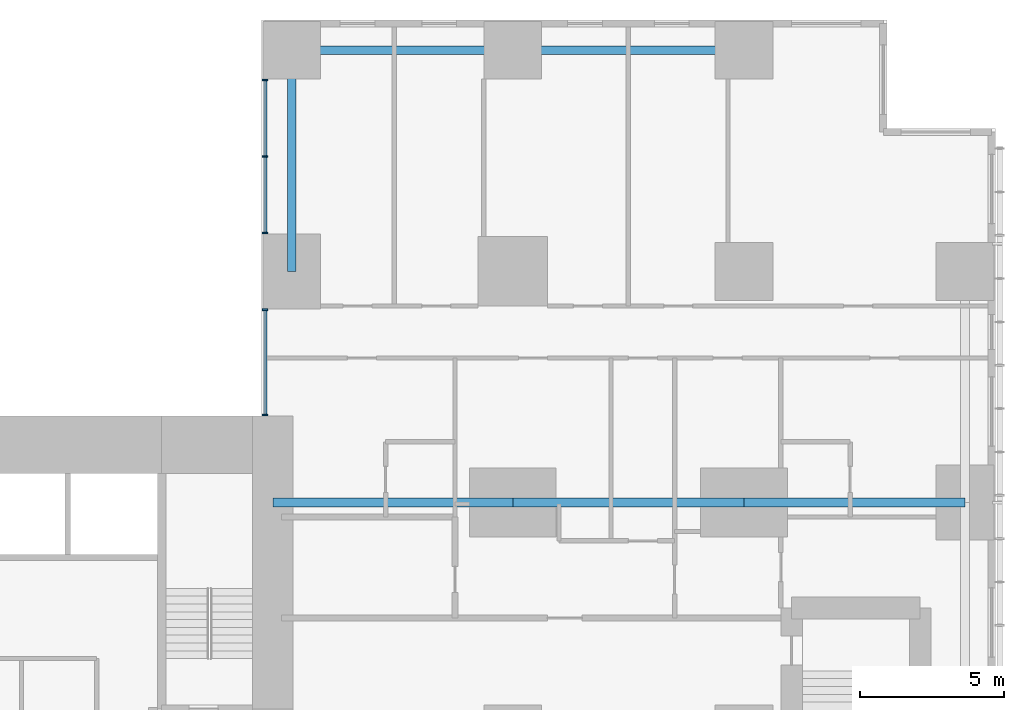
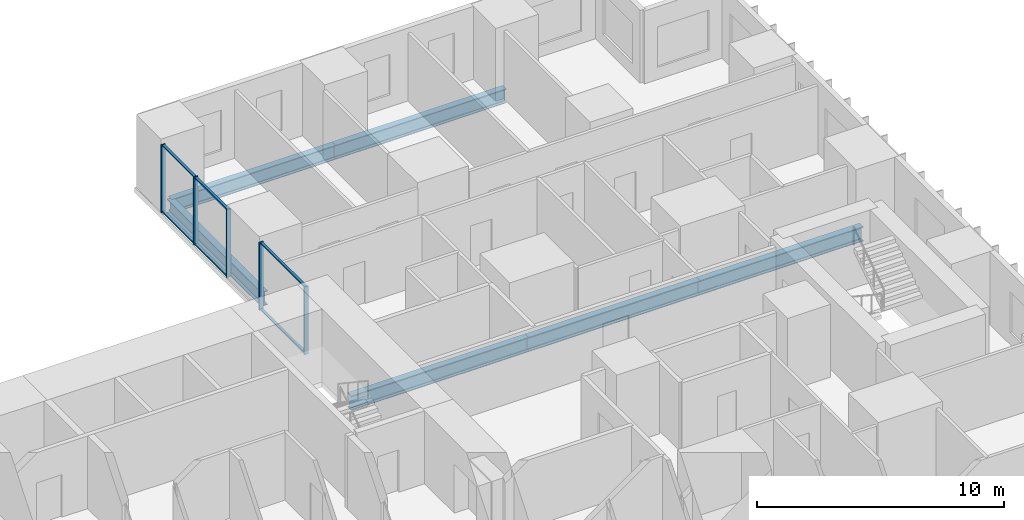
# One storey, part 5 of 20: 11 members, 6 beams, 2 elements without a shape of their own.
"""IFC4 building model written with IfcOpenShell, lengths in metres."""

from ifc_helpers import new_model, si_unit, direction, frame, origin, origin_2d, place, context, subcontext, project, spatial, rectangle, i_section, extrude, material, layer, layer_set, material_profile, profile_set, type_object, element, aggregate, save


model = new_model("IFC4")

# Units and contexts
model_context = context("Model", 3, precision=1e-05, world=origin(), true_north=direction((0.0, 1.0)))
body_context = subcontext(model_context, "Body", "Model", "MODEL_VIEW")
ifc_project = project(units=[si_unit("LENGTHUNIT", "METRE"), si_unit("AREAUNIT", "SQUARE_METRE"), si_unit("VOLUMEUNIT", "CUBIC_METRE"), si_unit("PLANEANGLEUNIT", "RADIAN"), si_unit("MASSUNIT", "GRAM", prefix="KILO")], contexts=[model_context])

# Site, building, storey
site_placement = place(None, origin())
site = spatial("IfcSite", under=ifc_project, at=site_placement, CompositionType="ELEMENT")
building_placement = place(site_placement, origin())
building = spatial("IfcBuilding", under=site, at=building_placement, Name="Cleftline Residences", CompositionType="ELEMENT")
storey_placement = place(building_placement, frame((0.0, 0.0, 54.800048828125)))
storey = spatial("IfcBuildingStorey", under=building, at=storey_placement, Name="L13", CompositionType="ELEMENT", Elevation=54.800048828125)

# Beams
ifc_material_1 = material(Name="Steel S355", Category="steel")
ifc_material_profile_1 = material_profile(ifc_material_1, i_section(OverallWidth=0.300048828125, OverallDepth=0.699951171875, WebThickness=0.01708984375, FlangeThickness=0.031982421875, FilletRadius=0.027099609375, at=origin_2d()))
ifc_profile_set_1 = profile_set([ifc_material_profile_1], Name="Steel S355")
beam_type_1 = type_object("IfcBeamType", Name="BEAM HEB 700", PredefinedType="BEAM", material=ifc_profile_set_1)
beam_1_placement = place(storey_placement, frame((58.0, 47.64990234375, -0.60009765625), z_axis=(-1.0, 0.0, 0.0), x_axis=(0.0, -1.0, 0.0)))
element("IfcBeam", 1, at=beam_1_placement, inside=storey, type_object=beam_type_1, Name="Edge beam", PredefinedType="BEAM", context=body_context, shape_type="SweptSolid", body=[
    extrude(i_section(OverallWidth=0.300048828125, OverallDepth=0.699951171875, WebThickness=0.01708984375, FlangeThickness=0.031982421875, FilletRadius=0.027099609375, at=origin_2d()), origin(), (0.0, 0.0, 1.0), 8.0),
])
for number, where, z_axis, x_axis, name in (
    (2, (50.0, 47.64990234375, -0.60009765625), (-1.0, 0.0, 0.0), (0.0, -1.0, 0.0), "Edge beam"),
    (3, (42.35009765625, 47.64990234375, -0.60009765625), (0.0, -1.0, 0.0), (1.0, 0.0, 0.0), "Edge beam"),
):
    element("IfcBeam", number, at=place(storey_placement, frame(where, z_axis=z_axis, x_axis=x_axis)), inside=storey, type_object=beam_type_1, Name=name, PredefinedType="BEAM", context=body_context, shape_type="SweptSolid", body=[
        extrude(i_section(OverallWidth=0.300048828125, OverallDepth=0.699951171875, WebThickness=0.01708984375, FlangeThickness=0.031982421875, FilletRadius=0.027099609375, at=origin_2d()), origin(), (0.0, 0.0, 1.0), 7.64990234375),
    ])
ifc_material_2 = material(Name="Steel S355", Category="steel")
ifc_material_profile_2 = material_profile(ifc_material_2, i_section(OverallWidth=0.303955078125, OverallDepth=0.716064453125, WebThickness=0.02099609375, FlangeThickness=0.0400390625, FilletRadius=0.027099609375, at=origin_2d()))
ifc_profile_set_2 = profile_set([ifc_material_profile_2], Name="Steel S355")
beam_type_2 = type_object("IfcBeamType", Name="BEAM HEM 700", PredefinedType="BEAM", material=ifc_profile_set_2)
beam_2_placement = place(storey_placement, frame((65.64990234375, 32.0, -0.608154296875), z_axis=(-1.0, 0.0, 0.0), x_axis=(0.0, -1.0, 0.0)))
element("IfcBeam", 4, at=beam_2_placement, inside=storey, type_object=beam_type_2, Name="Band beam", PredefinedType="BEAM", context=body_context, shape_type="SweptSolid", body=[
    extrude(i_section(OverallWidth=0.303955078125, OverallDepth=0.716064453125, WebThickness=0.02099609375, FlangeThickness=0.0400390625, FilletRadius=0.027099609375, at=origin_2d()), origin(), (0.0, 0.0, 1.0), 7.64990234375),
])
beam_3_placement = place(storey_placement, frame((58.0, 32.0, -0.608154296875), z_axis=(-1.0, 0.0, 0.0), x_axis=(0.0, -1.0, 0.0)))
element("IfcBeam", 5, at=beam_3_placement, inside=storey, type_object=beam_type_2, Name="Band beam", PredefinedType="BEAM", context=body_context, shape_type="SweptSolid", body=[
    extrude(i_section(OverallWidth=0.303955078125, OverallDepth=0.716064453125, WebThickness=0.02099609375, FlangeThickness=0.0400390625, FilletRadius=0.027099609375, at=origin_2d()), origin(), (0.0, 0.0, 1.0), 8.0),
])
beam_4_placement = place(storey_placement, frame((50.0, 32.0, -0.608154296875), z_axis=(-1.0, 0.0, 0.0), x_axis=(0.0, -1.0, 0.0)))
element("IfcBeam", 6, at=beam_4_placement, inside=storey, type_object=beam_type_2, Name="Band beam", PredefinedType="BEAM", context=body_context, shape_type="SweptSolid", body=[
    extrude(i_section(OverallWidth=0.303955078125, OverallDepth=0.716064453125, WebThickness=0.02099609375, FlangeThickness=0.0400390625, FilletRadius=0.027099609375, at=origin_2d()), origin(), (0.0, 0.0, 1.0), 8.300048828125),
])

# Curtain wall, members
ifc_material_3 = material(Name="Aluminium framed curtain wall", Category="aluminium")
ifc_layer = layer(ifc_material_3, 0.199951171875)
ifc_layer_set = layer_set([ifc_layer], Name="CW1 CLEFT GLAZING")
curtain_wall_type = type_object("IfcCurtainWallType", Name="CW1 CLEFT GLAZING", PredefinedType="NOTDEFINED", material=ifc_layer_set)
curtain_wall_1_placement = place(storey_placement, origin())
curtain_wall_1 = element("IfcCurtainWall", 7, at=curtain_wall_1_placement, inside=storey, type_object=curtain_wall_type, Name="Curtain wall CW1", PredefinedType="NOTDEFINED")
ifc_material_4 = material(Name="Aluminium mullion", Category="aluminium")
ifc_material_profile_3 = material_profile(ifc_material_4, rectangle(XDim=0.199951171875, YDim=0.06005859375, at=origin_2d()))
ifc_profile_set_3 = profile_set([ifc_material_profile_3], Name="Aluminium mullion")
member_type_1 = type_object("IfcMemberType", Name="CW1 MULLION", PredefinedType="MULLION", material=ifc_profile_set_3)
member_1_placement = place(storey_placement, frame((41.425048828125, 46.6201171875, 0.0), z_axis=(0.0, 0.0, 1.0), x_axis=(1.0, 0.0, 0.0)))
member_1 = element("IfcMember", 8, at=member_1_placement, type_object=member_type_1, Name="CW1 mullion 1", PredefinedType="MULLION", context=body_context, shape_type="SweptSolid", body=[
    extrude(rectangle(XDim=0.199951171875, YDim=0.06005859375, at=origin_2d()), origin(), (0.0, 0.0, 1.0), 3.349853515625),
])
member_2_placement = place(storey_placement, frame((41.425048828125, 43.97509765625, 0.0), z_axis=(0.0, 0.0, 1.0), x_axis=(1.0, 0.0, 0.0)))
member_2 = element("IfcMember", 9, at=member_2_placement, type_object=member_type_1, Name="CW1 mullion 2", PredefinedType="MULLION", context=body_context, shape_type="SweptSolid", body=[
    extrude(rectangle(XDim=0.199951171875, YDim=0.06005859375, at=origin_2d()), origin(), (0.0, 0.0, 1.0), 3.349853515625),
])
member_3_placement = place(storey_placement, frame((41.425048828125, 41.330078125, 0.0), z_axis=(0.0, 0.0, 1.0), x_axis=(1.0, 0.0, 0.0)))
member_3 = element("IfcMember", 10, at=member_3_placement, type_object=member_type_1, Name="CW1 mullion 3", PredefinedType="MULLION", context=body_context, shape_type="SweptSolid", body=[
    extrude(rectangle(XDim=0.199951171875, YDim=0.06005859375, at=origin_2d()), origin(), (0.0, 0.0, 1.0), 3.349853515625),
])

curtain_wall_2_placement = place(storey_placement, origin())
curtain_wall_2 = element("IfcCurtainWall", 11, at=curtain_wall_2_placement, inside=storey, type_object=curtain_wall_type, Name="Curtain wall CW1", PredefinedType="NOTDEFINED")
member_4_placement = place(storey_placement, frame((41.425048828125, 38.669921875, 0.0), z_axis=(0.0, 0.0, 1.0), x_axis=(1.0, 0.0, 0.0)))
member_4 = element("IfcMember", 12, at=member_4_placement, type_object=member_type_1, Name="CW1 mullion 1", PredefinedType="MULLION", context=body_context, shape_type="SweptSolid", body=[
    extrude(rectangle(XDim=0.199951171875, YDim=0.06005859375, at=origin_2d()), origin(), (0.0, 0.0, 1.0), 3.349853515625),
])
member_5_placement = place(storey_placement, frame((41.425048828125, 35.030029296875, 0.0), z_axis=(0.0, 0.0, 1.0), x_axis=(1.0, 0.0, 0.0)))
member_5 = element("IfcMember", 13, at=member_5_placement, type_object=member_type_1, Name="CW1 mullion 2", PredefinedType="MULLION", context=body_context, shape_type="SweptSolid", body=[
    extrude(rectangle(XDim=0.199951171875, YDim=0.06005859375, at=origin_2d()), origin(), (0.0, 0.0, 1.0), 3.349853515625),
])

# Member
ifc_material_5 = material(Name="Aluminium transom", Category="aluminium")
ifc_material_profile_4 = material_profile(ifc_material_5, rectangle(XDim=0.1201171875, YDim=0.06005859375, at=origin_2d()))
ifc_profile_set_4 = profile_set([ifc_material_profile_4], Name="Aluminium transom")
member_type_2 = type_object("IfcMemberType", Name="CW1 TRANSOM", PredefinedType="USERDEFINED", material=ifc_profile_set_4)
member_6_placement = place(storey_placement, frame((41.425048828125, 46.590087890625, 0.030029296875), z_axis=(0.0, -1.0, 0.0), x_axis=(1.0, 0.0, 0.0)))
member_6 = element("IfcMember", 14, at=member_6_placement, type_object=member_type_2, Name="CW1 transom 1.1", ObjectType="TRANSOM", PredefinedType="USERDEFINED", context=body_context, shape_type="SweptSolid", body=[
    extrude(rectangle(XDim=0.1201171875, YDim=0.06005859375, at=origin_2d()), origin(), (0.0, 0.0, 1.0), 2.585205078125),
])

member_7_placement = place(storey_placement, frame((41.425048828125, 46.590087890625, 3.320068359375), z_axis=(0.0, -1.0, 0.0), x_axis=(1.0, 0.0, 0.0)))
member_7 = element("IfcMember", 15, at=member_7_placement, type_object=member_type_2, Name="CW1 transom 1.2", ObjectType="TRANSOM", PredefinedType="USERDEFINED", context=body_context, shape_type="SweptSolid", body=[
    extrude(rectangle(XDim=0.1201171875, YDim=0.06005859375, at=origin_2d()), origin(), (0.0, 0.0, 1.0), 2.585205078125),
])

member_8_placement = place(storey_placement, frame((41.425048828125, 43.945068359375, 0.030029296875), z_axis=(0.0, -1.0, 0.0), x_axis=(1.0, 0.0, 0.0)))
member_8 = element("IfcMember", 16, at=member_8_placement, type_object=member_type_2, Name="CW1 transom 2.1", ObjectType="TRANSOM", PredefinedType="USERDEFINED", context=body_context, shape_type="SweptSolid", body=[
    extrude(rectangle(XDim=0.1201171875, YDim=0.06005859375, at=origin_2d()), origin(), (0.0, 0.0, 1.0), 2.5849609375),
])

member_9_placement = place(storey_placement, frame((41.425048828125, 43.945068359375, 3.320068359375), z_axis=(0.0, -1.0, 0.0), x_axis=(1.0, 0.0, 0.0)))
member_9 = element("IfcMember", 17, at=member_9_placement, type_object=member_type_2, Name="CW1 transom 2.2", ObjectType="TRANSOM", PredefinedType="USERDEFINED", context=body_context, shape_type="SweptSolid", body=[
    extrude(rectangle(XDim=0.1201171875, YDim=0.06005859375, at=origin_2d()), origin(), (0.0, 0.0, 1.0), 2.5849609375),
])

aggregate(curtain_wall_1, [member_1, member_2, member_3, member_6, member_7, member_8, member_9])

member_10_placement = place(storey_placement, frame((41.425048828125, 38.639892578125, 0.030029296875), z_axis=(0.0, -1.0, 0.0), x_axis=(1.0, 0.0, 0.0)))
member_10 = element("IfcMember", 18, at=member_10_placement, type_object=member_type_2, Name="CW1 transom 1.1", ObjectType="TRANSOM", PredefinedType="USERDEFINED", context=body_context, shape_type="SweptSolid", body=[
    extrude(rectangle(XDim=0.1201171875, YDim=0.06005859375, at=origin_2d()), origin(), (0.0, 0.0, 1.0), 3.579833984375),
])

member_11_placement = place(storey_placement, frame((41.425048828125, 38.639892578125, 3.320068359375), z_axis=(0.0, -1.0, 0.0), x_axis=(1.0, 0.0, 0.0)))
member_11 = element("IfcMember", 19, at=member_11_placement, type_object=member_type_2, Name="CW1 transom 1.2", ObjectType="TRANSOM", PredefinedType="USERDEFINED", context=body_context, shape_type="SweptSolid", body=[
    extrude(rectangle(XDim=0.1201171875, YDim=0.06005859375, at=origin_2d()), origin(), (0.0, 0.0, 1.0), 3.579833984375),
])

aggregate(curtain_wall_2, [member_4, member_5, member_10, member_11])

save(model, "model.ifc")
